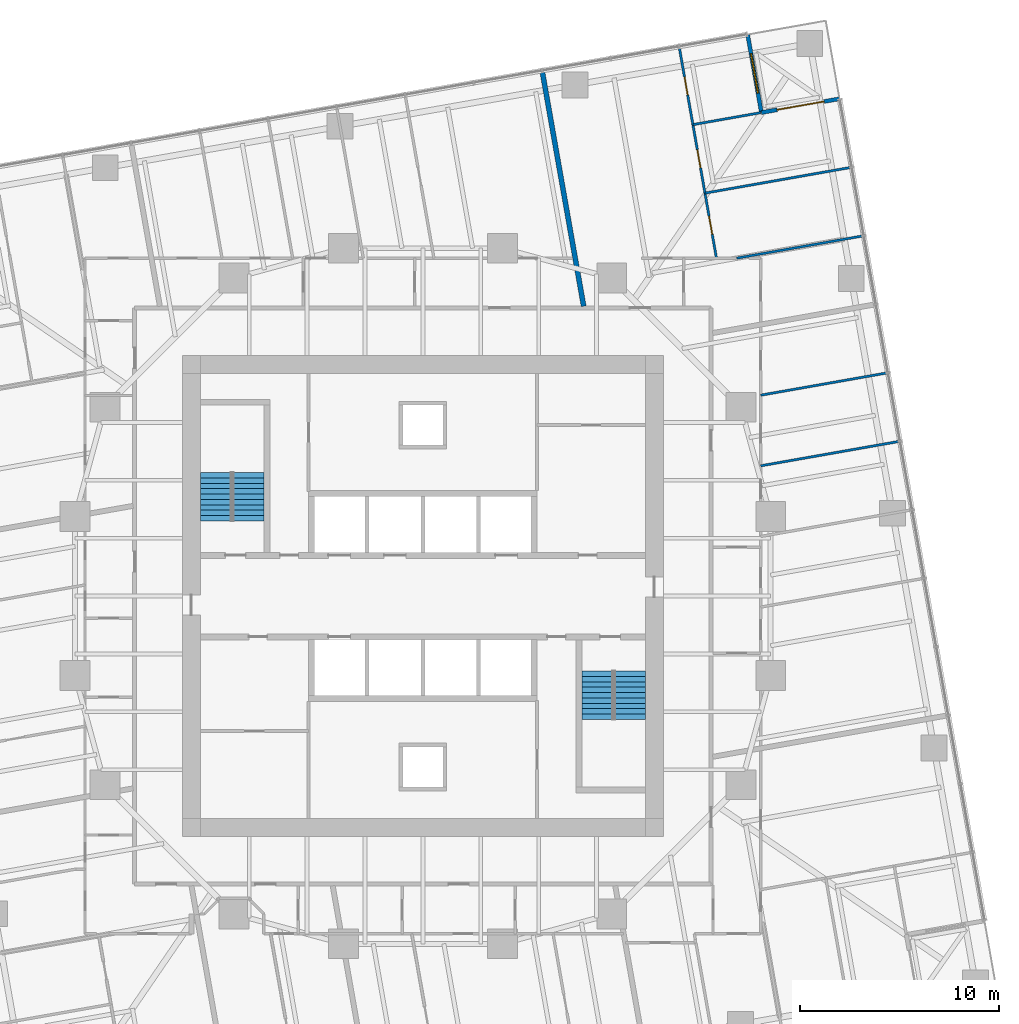
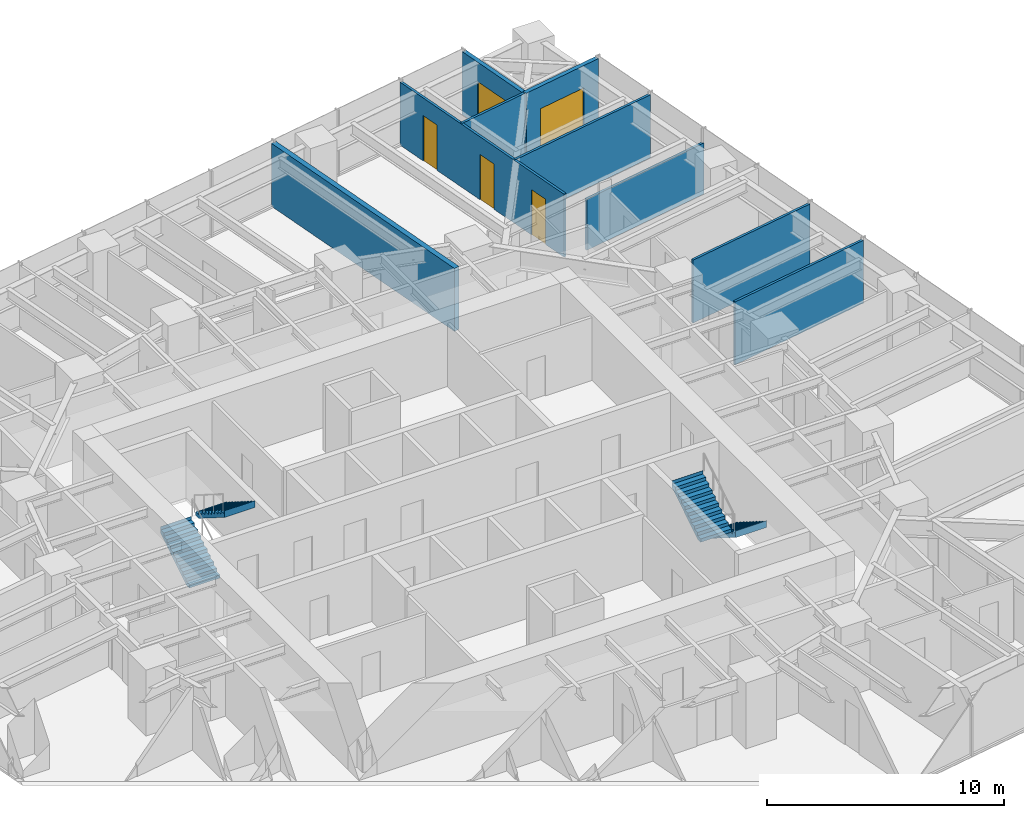
# One storey, part 13 of 14: 9 walls, 4 doors, 4 stair flights, 1 window, 5 openings, 2 elements without a shape of their own.
"""IFC4 building model written with IfcOpenShell, lengths in metres."""

from ifc_helpers import new_model, si_unit, direction, frame, frame_2d, origin, place, context, subcontext, project, spatial, polyline, rectangle, outline, extrude, material, layer, layer_set, type_object, element, fill, aggregate, save


model = new_model("IFC4")

# Units and contexts
model_context = context("Model", 3, precision=1e-05, world=origin(), true_north=direction((0.0, 1.0)))
body_context = subcontext(model_context, "Body", "Model", "MODEL_VIEW")
ifc_project = project(units=[si_unit("LENGTHUNIT", "METRE"), si_unit("AREAUNIT", "SQUARE_METRE"), si_unit("VOLUMEUNIT", "CUBIC_METRE"), si_unit("PLANEANGLEUNIT", "RADIAN"), si_unit("MASSUNIT", "GRAM", prefix="KILO")], contexts=[model_context])

# Site, building, storey
site_placement = place(None, origin())
site = spatial("IfcSite", under=ifc_project, at=site_placement, CompositionType="ELEMENT")
building_placement = place(site_placement, origin())
building = spatial("IfcBuilding", under=site, at=building_placement, Name="Torsade Residences", CompositionType="ELEMENT")
storey_placement = place(building_placement, frame((0.0, 0.0, 79.39990234375)))
storey = spatial("IfcBuildingStorey", under=building, at=storey_placement, Name="L21", CompositionType="ELEMENT", Elevation=79.39990234375)

# Walls
ifc_material_1 = material(Name="Plasterboard on steel stud", Category="steel")
ifc_layer_1 = layer(ifc_material_1, 0.1201171875)
ifc_layer_set_1 = layer_set([ifc_layer_1], Name="Plasterboard on steel stud")
wall_type_1 = type_object("IfcWallType", Name="PARTITION 120", PredefinedType="PARTITIONING", material=ifc_layer_set_1)
wall_1_placement = place(storey_placement, frame((57.0, 36.551513671875, 0.0), z_axis=(0.0, 0.0, 1.0), x_axis=(0.984809234282, 0.173639776761, 0.0)))
element("IfcWall", 1, at=wall_1_placement, inside=storey, type_object=wall_type_1, Name="Partition L21", PredefinedType="PARTITIONING", context=body_context, shape_type="SweptSolid", body=[
    extrude(rectangle(XDim=7.080810546875, YDim=0.1201171875, at=frame_2d((3.54052734375, 0.0))), origin(), (0.0, 0.0, 1.0), 3.25),
])
wall_2_placement = place(storey_placement, frame((57.0, 40.10546875, 0.0), z_axis=(0.0, 0.0, 1.0), x_axis=(0.984809025774, 0.173640959323, 0.0)))
element("IfcWall", 2, at=wall_2_placement, inside=storey, type_object=wall_type_1, Name="Partition L21", PredefinedType="PARTITIONING", context=body_context, shape_type="SweptSolid", body=[
    extrude(rectangle(XDim=6.46337890625, YDim=0.1201171875, at=frame_2d((3.231689453125, 0.0))), origin(), (0.0, 0.0, 1.0), 3.25),
])

# Wall, openings, doors
wall_3_placement = place(storey_placement, frame((52.89990234375, 57.61962890625, 0.0), z_axis=(0.0, 0.0, 1.0), x_axis=(0.173651010046, -0.984807253583, 0.0)))
wall_3 = element("IfcWall", 3, at=wall_3_placement, inside=storey, type_object=wall_type_1, Name="Partition L21", PredefinedType="PARTITIONING", context=body_context, shape_type="SweptSolid", body=[
    extrude(rectangle(XDim=10.783447265625, YDim=0.1201171875, at=frame_2d((5.3916015625, 0.0))), origin(), (0.0, 0.0, 1.0), 3.25),
])
opening_1_placement = place(wall_3_placement, frame((1.52490234375, 0.0, 0.0)))
opening_1 = element("IfcOpeningElement", 4, at=opening_1_placement, cuts=wall_3, Name="Opening D02", PredefinedType="OPENING", context=body_context, shape_type="SweptSolid", body=[
    extrude(rectangle(XDim=0.919921875, YDim=2.340087890625, at=frame_2d((0.4599609375, 1.169921875))), frame((0.0, 0.070068359375, 0.0), z_axis=(0.0, -1.0, 0.0), x_axis=(1.0, 0.0, 0.0)), (0.0, 0.0, 1.0), 0.14013671875),
])
opening_2_placement = place(wall_3_placement, frame((5.25, 0.0, 0.0)))
opening_2 = element("IfcOpeningElement", 5, at=opening_2_placement, cuts=wall_3, Name="Opening D02", PredefinedType="OPENING", context=body_context, shape_type="SweptSolid", body=[
    extrude(rectangle(XDim=0.919921875, YDim=2.340087890625, at=frame_2d((0.4599609375, 1.169921875))), frame((0.0, 0.070068359375, 0.0), z_axis=(0.0, -1.0, 0.0), x_axis=(1.0, 0.0, 0.0)), (0.0, 0.0, 1.0), 0.14013671875),
])
opening_3_placement = place(wall_3_placement, frame((8.63671875, 0.0, 0.0)))
opening_3 = element("IfcOpeningElement", 6, at=opening_3_placement, cuts=wall_3, Name="Opening D02", PredefinedType="OPENING", context=body_context, shape_type="SweptSolid", body=[
    extrude(rectangle(XDim=0.919921875, YDim=2.340087890625, at=frame_2d((0.4599609375, 1.169921875))), frame((0.0, 0.070068359375, 0.0), z_axis=(0.0, -1.0, 0.0), x_axis=(1.0, 0.0, 0.0)), (0.0, 0.0, 1.0), 0.14013671875),
])
ifc_material_2 = material(Name="Hollow-core timber door", Category="wood")
door_type_1 = type_object("IfcDoorType", Name="INTERNAL DOOR 920x2340", OperationType="NOTDEFINED", PredefinedType="DOOR", material=ifc_material_2)
door_1_placement = place(opening_1_placement, origin())
door_1 = element("IfcDoor", 7, at=door_1_placement, inside=storey, type_object=door_type_1, Name="Door Living room to Family room", OperationType="SINGLE_SWING_RIGHT", OverallHeight=2.340087890625, OverallWidth=0.919921875, PredefinedType="DOOR", context=body_context, shape_type="SweptSolid", body=[
    extrude(rectangle(XDim=0.919921875, YDim=2.340087890625, at=frame_2d((0.4599609375, 1.169921875))), frame((0.0, 0.02490234375, 0.0), z_axis=(0.0, -1.0, 0.0), x_axis=(1.0, 0.0, 0.0)), (0.0, 0.0, 1.0), 0.050048828125),
])
fill(opening_1, door_1)
door_2_placement = place(opening_2_placement, origin())
door_2 = element("IfcDoor", 8, at=door_2_placement, inside=storey, type_object=door_type_1, Name="Door Living room to Bedroom 1", OperationType="SINGLE_SWING_LEFT", OverallHeight=2.340087890625, OverallWidth=0.919921875, PredefinedType="DOOR", context=body_context, shape_type="SweptSolid", body=[
    extrude(rectangle(XDim=0.919921875, YDim=2.340087890625, at=frame_2d((0.4599609375, 1.169921875))), frame((0.0, 0.02490234375, 0.0), z_axis=(0.0, -1.0, 0.0), x_axis=(1.0, 0.0, 0.0)), (0.0, 0.0, 1.0), 0.050048828125),
])
fill(opening_2, door_2)
door_3_placement = place(opening_3_placement, origin())
door_3 = element("IfcDoor", 9, at=door_3_placement, inside=storey, type_object=door_type_1, Name="Door Living room to Bedroom 2", OperationType="SINGLE_SWING_LEFT", OverallHeight=2.340087890625, OverallWidth=0.919921875, PredefinedType="DOOR", context=body_context, shape_type="SweptSolid", body=[
    extrude(rectangle(XDim=0.919921875, YDim=2.340087890625, at=frame_2d((0.4599609375, 1.169921875))), frame((0.0, 0.02490234375, 0.0), z_axis=(0.0, -1.0, 0.0), x_axis=(1.0, 0.0, 0.0)), (0.0, 0.0, 1.0), 0.050048828125),
])
fill(opening_3, door_3)

# Walls
wall_4_placement = place(storey_placement, frame((61.5419921875, 51.568359375, 0.0), z_axis=(0.0, 0.0, 1.0), x_axis=(-0.984807929323, -0.173647177755, 0.0)))
element("IfcWall", 10, at=wall_4_placement, inside=storey, type_object=wall_type_1, Name="Partition L21", PredefinedType="PARTITIONING", context=body_context, shape_type="SweptSolid", body=[
    extrude(rectangle(XDim=7.4599609375, YDim=0.1201171875, at=frame_2d((3.72998046875, 0.0))), origin(), (0.0, 0.0, 1.0), 3.25),
])
wall_5_placement = place(storey_placement, frame((53.587646484375, 53.7197265625, 0.0), z_axis=(0.0, 0.0, 1.0), x_axis=(0.984805572884, 0.173660541335, 0.0)))
element("IfcWall", 11, at=wall_5_placement, inside=storey, type_object=wall_type_1, Name="Partition L21", PredefinedType="PARTITIONING", context=body_context, shape_type="SweptSolid", body=[
    extrude(rectangle(XDim=3.459716796875, YDim=0.1201171875, at=frame_2d((1.72998046875, 0.0))), origin(), (0.0, 0.0, 1.0), 3.25),
])
wall_6_placement = place(storey_placement, frame((62.149658203125, 48.12158203125, 0.0), z_axis=(0.0, 0.0, 1.0), x_axis=(-0.984806762864, -0.173653792983, 0.0)))
element("IfcWall", 12, at=wall_6_placement, inside=storey, type_object=wall_type_1, Name="Partition L21", PredefinedType="PARTITIONING", context=body_context, shape_type="SweptSolid", body=[
    extrude(rectangle(XDim=6.458740234375, YDim=0.1201171875, at=frame_2d((3.2294921875, 0.0))), origin(), (0.0, 0.0, 1.0), 2.63818359375),
])
ifc_material_3 = material(Name="Masonry-lined stud party wall", Category="masonry")
ifc_layer_2 = layer(ifc_material_3, 0.25)
ifc_layer_set_2 = layer_set([ifc_layer_2], Name="Masonry-lined stud party wall")
wall_type_2 = type_object("IfcWallType", Name="PARTY WALL 250", PredefinedType="PARTITIONING", material=ifc_layer_set_2)
wall_7_placement = place(storey_placement, frame((45.999267578125, 56.443603515625, 0.0), z_axis=(0.0, 0.0, 1.0), x_axis=(0.173654664517, -0.984806609184, 0.0)))
element("IfcWall", 13, at=wall_7_placement, inside=storey, type_object=wall_type_2, Name="Party wall L21", PredefinedType="PARTITIONING", context=body_context, shape_type="SweptSolid", body=[
    extrude(rectangle(XDim=12.04443359375, YDim=0.25, at=frame_2d((6.022216796875, 0.0))), origin(), (0.0, 0.0, 1.0), 3.25),
])

# Wall, opening, door
ifc_material_4 = material(Name="Stone-faced precast concrete 40 MPa panel", Category="masonry")
ifc_layer_3 = layer(ifc_material_4, 0.199951171875)
ifc_layer_set_3 = layer_set([ifc_layer_3], Name="Stone-faced precast concrete 40 MPa panel")
wall_type_3 = type_object("IfcWallType", Name="TERRACE WALL 200", PredefinedType="SOLIDWALL", material=ifc_layer_set_3)
wall_8_placement = place(storey_placement, frame((60.9736328125, 55.022216796875, 0.0), z_axis=(0.0, 0.0, 1.0), x_axis=(-0.984808127031, -0.173646056486, 0.0)))
wall_8 = element("IfcWall", 14, at=wall_8_placement, inside=storey, type_object=wall_type_3, Name="Terrace wall L21 5", PredefinedType="SOLIDWALL", context=body_context, shape_type="SweptSolid", body=[
    extrude(rectangle(XDim=4.0, YDim=0.199951171875, at=frame_2d((2.0, 0.0))), origin(), (0.0, 0.0, 1.0), 3.25),
])
opening_4_placement = place(wall_8_placement, frame((0.800048828125, 0.0, 0.0)))
opening_4 = element("IfcOpeningElement", 15, at=opening_4_placement, cuts=wall_8, Name="Opening D10A", PredefinedType="OPENING", context=body_context, shape_type="SweptSolid", body=[
    extrude(rectangle(XDim=2.39990234375, YDim=2.10009765625, at=frame_2d((1.199951171875, 1.050048828125))), frame((0.0, 0.10986328125, 0.0), z_axis=(0.0, -1.0, 0.0), x_axis=(1.0, 0.0, 0.0)), (0.0, 0.0, 1.0), 0.219970703125),
])
ifc_material_5 = material(Name="Aluminium-framed glass door", Category="aluminium")
door_type_2 = type_object("IfcDoorType", Name="TERRACE SLIDING DOOR 2400x2100", OperationType="SLIDING_TO_LEFT", PredefinedType="DOOR", material=ifc_material_5)
door_4_placement = place(opening_4_placement, origin())
door_4 = element("IfcDoor", 16, at=door_4_placement, inside=storey, type_object=door_type_2, Name="Terrace door L21 5", OperationType="SLIDING_TO_LEFT", OverallHeight=2.10009765625, OverallWidth=2.39990234375, PredefinedType="DOOR", context=body_context, shape_type="SweptSolid", body=[
    extrude(rectangle(XDim=2.39990234375, YDim=2.10009765625, at=frame_2d((1.199951171875, 1.050048828125))), frame((0.0, 0.02490234375, 0.0), z_axis=(0.0, -1.0, 0.0), x_axis=(1.0, 0.0, 0.0)), (0.0, 0.0, 1.0), 0.050048828125),
])
fill(opening_4, door_4)

# Wall, opening, window
wall_9_placement = place(storey_placement, frame((57.034423828125, 54.32763671875, 0.0), z_axis=(0.0, 0.0, 1.0), x_axis=(-0.173646056486, 0.984808127031, 0.0)))
wall_9 = element("IfcWall", 17, at=wall_9_placement, inside=storey, type_object=wall_type_3, Name="Terrace wall L21 6", PredefinedType="SOLIDWALL", context=body_context, shape_type="SweptSolid", body=[
    extrude(rectangle(XDim=4.0, YDim=0.199951171875, at=frame_2d((2.0, 0.0))), origin(), (0.0, 0.0, 1.0), 3.25),
])
opening_5_placement = place(wall_9_placement, frame((1.0, 0.0, 0.449951171875)))
opening_5 = element("IfcOpeningElement", 18, at=opening_5_placement, cuts=wall_9, Name="Opening W1B", PredefinedType="OPENING", context=body_context, shape_type="SweptSolid", body=[
    extrude(rectangle(XDim=2.0, YDim=1.800048828125, at=frame_2d((1.0, 0.89990234375))), frame((0.0, 0.10986328125, 0.0), z_axis=(0.0, -1.0, 0.0), x_axis=(1.0, 0.0, 0.0)), (0.0, 0.0, 1.0), 0.219970703125),
])
ifc_material_6 = material(Name="Aluminium-framed glass window", Category="aluminium")
window_type = type_object("IfcWindowType", Name="TERRACE WINDOW 2000x1800", PartitioningType="SINGLE_PANEL", PredefinedType="WINDOW", material=ifc_material_6)
window_placement = place(opening_5_placement, origin())
window = element("IfcWindow", 19, at=window_placement, inside=storey, type_object=window_type, Name="Terrace window L21 6", OverallHeight=1.800048828125, OverallWidth=2.0, PartitioningType="SINGLE_PANEL", PredefinedType="WINDOW", context=body_context, shape_type="SweptSolid", body=[
    extrude(rectangle(XDim=2.0, YDim=1.800048828125, at=frame_2d((1.0, 0.89990234375))), frame((0.0, 0.030029296875, 0.0), z_axis=(0.0, -1.0, 0.0), x_axis=(1.0, 0.0, 0.0)), (0.0, 0.0, 1.0), 0.06005859375),
])
fill(opening_5, window)

# Stair, stair flights
ifc_material_7 = material(Name="Precast concrete 40 MPa", Category="concrete")
stair_type = type_object("IfcStairType", Name="HALF-TURN FIRE STAIR 1500x3400", PredefinedType="HALF_TURN_STAIR", material=ifc_material_7)
stair_1_placement = place(storey_placement, origin())
stair_1 = element("IfcStair", 20, at=stair_1_placement, inside=storey, type_object=stair_type, Name="Stair ST1 L21", PredefinedType="HALF_TURN_STAIR")
ifc_material_8 = material(Name="Precast concrete 40 MPa", Category="concrete")
stair_flight_type = type_object("IfcStairFlightType", Name="PRECAST STAIR FLIGHT 1500x1700", PredefinedType="STRAIGHT", material=ifc_material_8)
stair_flight_1_placement = place(storey_placement, frame((29.550048828125, 33.780029296875, 0.0), z_axis=(0.0, 0.0, 1.0), x_axis=(0.0, 1.0, 0.0)))
stair_flight_1 = element("IfcStairFlight", 21, at=stair_flight_1_placement, type_object=stair_flight_type, Name="ST1 flight 1", NumberOfRisers=10, NumberOfTreads=9, PredefinedType="STRAIGHT", RiserHeight=0.17, TreadLength=0.27, context=body_context, shape_type="SweptSolid", body=[
    extrude(outline(polyline([(0.0, 0.0), (0.0, 0.169921875), (0.27001953125, 0.169921875), (0.27001953125, 0.340087890625), (0.5400390625, 0.340087890625), (0.5400390625, 0.510009765625), (0.81005859375, 0.510009765625), (0.81005859375, 0.679931640625), (1.080078125, 0.679931640625), (1.080078125, 0.85009765625), (1.35009765625, 0.85009765625), (1.35009765625, 1.02001953125), (1.6201171875, 1.02001953125), (1.6201171875, 1.18994140625), (1.889892578125, 1.18994140625), (1.889892578125, 1.360107421875), (2.159912109375, 1.360107421875), (2.159912109375, 1.530029296875), (2.429931640625, 1.530029296875), (2.429931640625, 1.699951171875), (2.43994140625, 1.699951171875), (2.43994140625, 1.352783203125), (2.429931640625, 1.352783203125), (0.28125, 0.0), (0.0, 0.0)])), frame((0.0, 0.75, 0.0), z_axis=(0.0, -1.0, 0.0), x_axis=(1.0, 0.0, 0.0)), (0.0, 0.0, 1.0), 1.5),
])
stair_flight_2_placement = place(storey_placement, frame((31.25, 36.2099609375, 1.7001953125), z_axis=(0.0, 0.0, 1.0), x_axis=(0.0, -1.0, 0.0)))
stair_flight_2 = element("IfcStairFlight", 22, at=stair_flight_2_placement, type_object=stair_flight_type, Name="ST1 flight 2", NumberOfRisers=10, NumberOfTreads=9, PredefinedType="STRAIGHT", RiserHeight=0.17, TreadLength=0.27, context=body_context, shape_type="SweptSolid", body=[
    extrude(outline(polyline([(0.0, 0.0), (0.0, 0.169921875), (0.27001953125, 0.169921875), (0.27001953125, 0.340087890625), (0.5400390625, 0.340087890625), (0.5400390625, 0.510009765625), (0.81005859375, 0.510009765625), (0.81005859375, 0.679931640625), (1.080078125, 0.679931640625), (1.080078125, 0.85009765625), (1.35009765625, 0.85009765625), (1.35009765625, 1.02001953125), (1.6201171875, 1.02001953125), (1.6201171875, 1.18994140625), (1.889892578125, 1.18994140625), (1.889892578125, 1.360107421875), (2.159912109375, 1.360107421875), (2.159912109375, 1.530029296875), (2.429931640625, 1.530029296875), (2.429931640625, 1.699951171875), (2.43994140625, 1.699951171875), (2.43994140625, 1.352783203125), (2.429931640625, 1.352783203125), (0.28125, 0.0), (0.0, 0.0)])), frame((0.0, 0.75, 0.0), z_axis=(0.0, -1.0, 0.0), x_axis=(1.0, 0.0, 0.0)), (0.0, 0.0, 1.0), 1.5),
])
aggregate(stair_1, [stair_flight_1, stair_flight_2])

stair_2_placement = place(storey_placement, origin())
stair_2 = element("IfcStair", 23, at=stair_2_placement, inside=storey, type_object=stair_type, Name="Stair ST2 L21", PredefinedType="HALF_TURN_STAIR")
stair_flight_3_placement = place(storey_placement, frame((50.449951171875, 26.219970703125, 0.0), z_axis=(0.0, 0.0, 1.0), x_axis=(0.0, -1.0, 0.0)))
stair_flight_3 = element("IfcStairFlight", 24, at=stair_flight_3_placement, type_object=stair_flight_type, Name="ST2 flight 1", NumberOfRisers=10, NumberOfTreads=9, PredefinedType="STRAIGHT", RiserHeight=0.17, TreadLength=0.27, context=body_context, shape_type="SweptSolid", body=[
    extrude(outline(polyline([(0.0, 0.0), (0.0, 0.169921875), (0.27001953125, 0.169921875), (0.27001953125, 0.340087890625), (0.5400390625, 0.340087890625), (0.5400390625, 0.510009765625), (0.81005859375, 0.510009765625), (0.81005859375, 0.679931640625), (1.080078125, 0.679931640625), (1.080078125, 0.85009765625), (1.35009765625, 0.85009765625), (1.35009765625, 1.02001953125), (1.6201171875, 1.02001953125), (1.6201171875, 1.18994140625), (1.889892578125, 1.18994140625), (1.889892578125, 1.360107421875), (2.159912109375, 1.360107421875), (2.159912109375, 1.530029296875), (2.429931640625, 1.530029296875), (2.429931640625, 1.699951171875), (2.43994140625, 1.699951171875), (2.43994140625, 1.352783203125), (2.429931640625, 1.352783203125), (0.28125, 0.0), (0.0, 0.0)])), frame((0.0, 0.75, 0.0), z_axis=(0.0, -1.0, 0.0), x_axis=(1.0, 0.0, 0.0)), (0.0, 0.0, 1.0), 1.5),
])
stair_flight_4_placement = place(storey_placement, frame((48.75, 23.7900390625, 1.7001953125), z_axis=(0.0, 0.0, 1.0), x_axis=(0.0, 1.0, 0.0)))
stair_flight_4 = element("IfcStairFlight", 25, at=stair_flight_4_placement, type_object=stair_flight_type, Name="ST2 flight 2", NumberOfRisers=10, NumberOfTreads=9, PredefinedType="STRAIGHT", RiserHeight=0.17, TreadLength=0.27, context=body_context, shape_type="SweptSolid", body=[
    extrude(outline(polyline([(0.0, 0.0), (0.0, 0.169921875), (0.27001953125, 0.169921875), (0.27001953125, 0.340087890625), (0.5400390625, 0.340087890625), (0.5400390625, 0.510009765625), (0.81005859375, 0.510009765625), (0.81005859375, 0.679931640625), (1.080078125, 0.679931640625), (1.080078125, 0.85009765625), (1.35009765625, 0.85009765625), (1.35009765625, 1.02001953125), (1.6201171875, 1.02001953125), (1.6201171875, 1.18994140625), (1.889892578125, 1.18994140625), (1.889892578125, 1.360107421875), (2.159912109375, 1.360107421875), (2.159912109375, 1.530029296875), (2.429931640625, 1.530029296875), (2.429931640625, 1.699951171875), (2.43994140625, 1.699951171875), (2.43994140625, 1.352783203125), (2.429931640625, 1.352783203125), (0.28125, 0.0), (0.0, 0.0)])), frame((0.0, 0.75, 0.0), z_axis=(0.0, -1.0, 0.0), x_axis=(1.0, 0.0, 0.0)), (0.0, 0.0, 1.0), 1.5),
])
aggregate(stair_2, [stair_flight_3, stair_flight_4])

save(model, "model.ifc")
